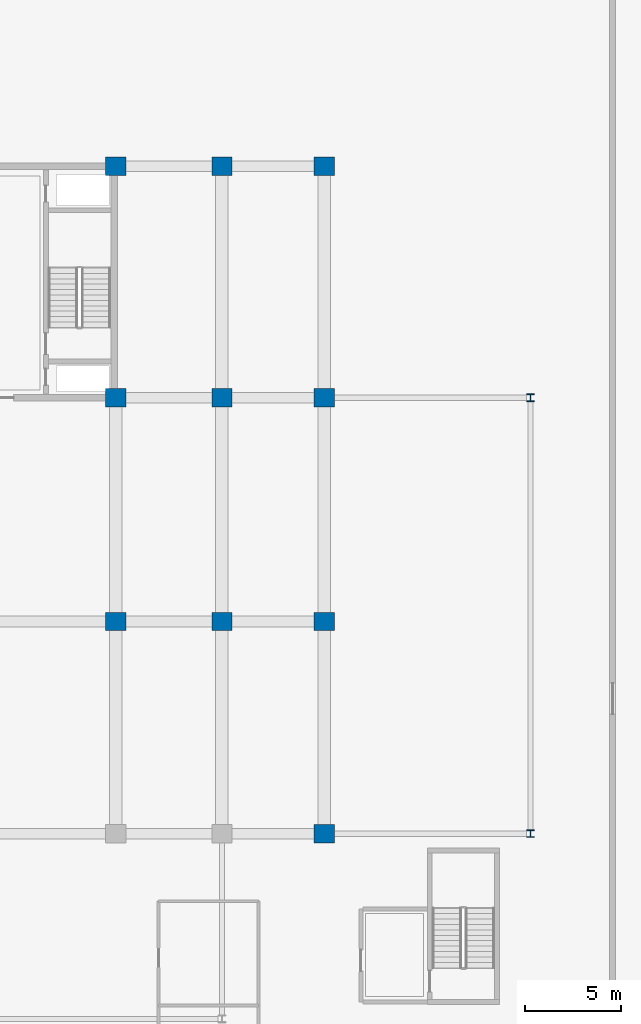
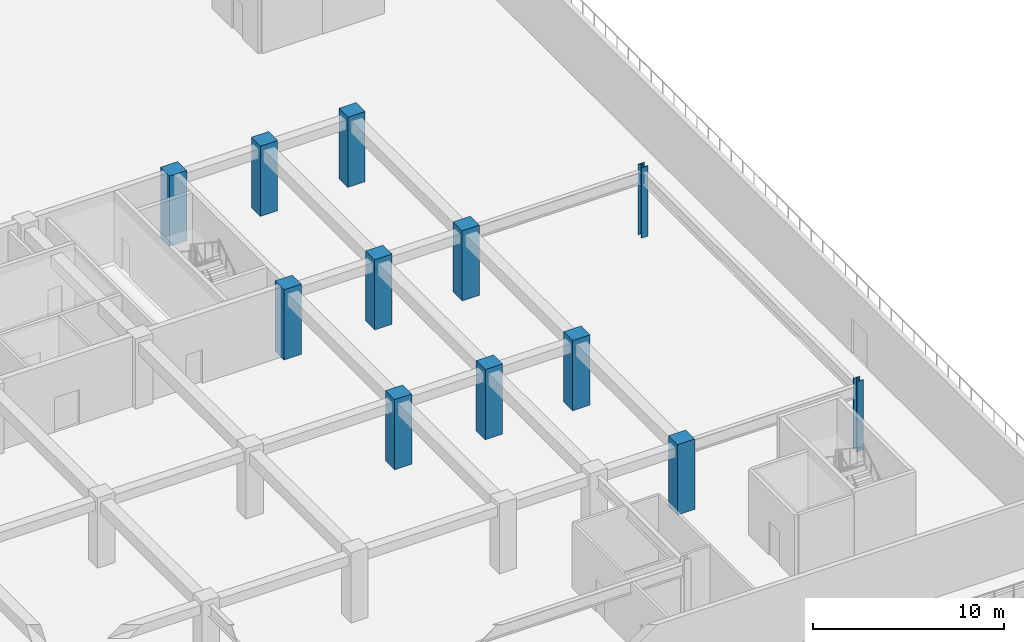
# One storey, part 3 of 40: 12 columns.
"""IFC4 building model written with IfcOpenShell, lengths in metres."""

from ifc_helpers import new_model, si_unit, direction, frame, origin, origin_2d, place, context, subcontext, project, spatial, rectangle, i_section, extrude, material, material_profile, profile_set, type_object, element, save


model = new_model("IFC4")

# Units and contexts
model_context = context("Model", 3, precision=1e-05, world=origin(), true_north=direction((0.0, 1.0)))
body_context = subcontext(model_context, "Body", "Model", "MODEL_VIEW")
ifc_project = project(units=[si_unit("LENGTHUNIT", "METRE"), si_unit("AREAUNIT", "SQUARE_METRE"), si_unit("VOLUMEUNIT", "CUBIC_METRE"), si_unit("PLANEANGLEUNIT", "RADIAN"), si_unit("MASSUNIT", "GRAM", prefix="KILO")], contexts=[model_context])

# Site, building, storey
site_placement = place(None, origin())
site = spatial("IfcSite", under=ifc_project, at=site_placement, CompositionType="ELEMENT")
building_placement = place(site_placement, origin())
building = spatial("IfcBuilding", under=site, at=building_placement, Name="Korimba Cascade Residences", CompositionType="ELEMENT")
storey_placement = place(building_placement, frame((0.0, 0.0, 14.5)))
storey = spatial("IfcBuildingStorey", under=building, at=storey_placement, Name="L03", CompositionType="ELEMENT", Elevation=14.5)

# Columns
ifc_material_1 = material(Name="Concrete C80/95", Category="concrete")
ifc_material_profile_1 = material_profile(ifc_material_1, rectangle(XDim=1.050048828125, YDim=0.949951171875, at=origin_2d()), Name="Concrete C80/95")
ifc_profile_set_1 = profile_set([ifc_material_profile_1], Name="Concrete C80/95")
column_type_1 = type_object("IfcColumnType", Name="COL-RC-1050", PredefinedType="COLUMN", material=ifc_profile_set_1)
for number, where, z_axis, x_axis, name in (
    (1, (118.10009765625, 6.800048828125, 0.0), (0.0, 0.0, 1.0), (1.0, 0.0, 0.0), "L03 Tower 2 Column 6.2"),
    (2, (118.10009765625, 18.39990234375, 0.0), (0.0, 0.0, 1.0), (1.0, 0.0, 0.0), "L03 Tower 2 Column 6.3"),
    (3, (118.10009765625, 30.39990234375, 0.0), (0.0, 0.0, 1.0), (1.0, 0.0, 0.0), "L03 Tower 2 Column 6.4"),
    (4, (123.60009765625, 6.800048828125, 0.0), (0.0, 0.0, 1.0), (1.0, 0.0, 0.0), "L03 Tower 2 Column 7.2"),
    (5, (123.60009765625, 18.39990234375, 0.0), (0.0, 0.0, 1.0), (1.0, 0.0, 0.0), "L03 Tower 2 Column 7.3"),
    (6, (123.60009765625, 30.39990234375, 0.0), (0.0, 0.0, 1.0), (1.0, 0.0, 0.0), "L03 Tower 2 Column 7.4"),
    (7, (128.89990234375, -4.199951171875, 0.0), (0.0, 0.0, 1.0), (1.0, 0.0, 0.0), "L03 Tower 2 Column 8.1"),
    (8, (128.89990234375, 6.800048828125, 0.0), (0.0, 0.0, 1.0), (1.0, 0.0, 0.0), "L03 Tower 2 Column 8.2"),
    (9, (128.89990234375, 18.39990234375, 0.0), (0.0, 0.0, 1.0), (1.0, 0.0, 0.0), "L03 Tower 2 Column 8.3"),
    (10, (128.89990234375, 30.39990234375, 0.0), (0.0, 0.0, 1.0), (1.0, 0.0, 0.0), "L03 Tower 2 Column 8.4"),
):
    element("IfcColumn", number, at=place(storey_placement, frame(where, z_axis=z_axis, x_axis=x_axis)), inside=storey, type_object=column_type_1, Name=name, PredefinedType="COLUMN", context=body_context, shape_type="SweptSolid", body=[
        extrude(rectangle(XDim=1.050048828125, YDim=0.949951171875, at=origin_2d()), origin(), (0.0, 0.0, 1.0), 4.5),
    ])
ifc_material_2 = material(Name="Steel S355", Category="steel")
ifc_material_profile_2 = material_profile(ifc_material_2, i_section(OverallWidth=0.39892578125, OverallDepth=0.3935546875, WebThickness=0.022705078125, FlangeThickness=0.03662109375, FilletRadius=0.01513671875, at=origin_2d()), Name="Steel S355")
ifc_profile_set_2 = profile_set([ifc_material_profile_2], Name="Steel S355")
column_type_2 = type_object("IfcColumnType", Name="COL-STL-UC287", PredefinedType="COLUMN", material=ifc_profile_set_2)
for number, where, z_axis, x_axis, name in (
    (11, (139.60009765625, -4.199951171875, 0.0), (0.0, 0.0, 1.0), (1.0, 0.0, 0.0), "L03 Podium Column PCE1"),
    (12, (139.60009765625, 18.39990234375, 0.0), (0.0, 0.0, 1.0), (1.0, 0.0, 0.0), "L03 Podium Column PCE2"),
):
    element("IfcColumn", number, at=place(storey_placement, frame(where, z_axis=z_axis, x_axis=x_axis)), inside=storey, type_object=column_type_2, Name=name, PredefinedType="COLUMN", context=body_context, shape_type="SweptSolid", body=[
        extrude(i_section(OverallWidth=0.39892578125, OverallDepth=0.3935546875, WebThickness=0.022705078125, FlangeThickness=0.03662109375, FilletRadius=0.01513671875, at=origin_2d()), origin(), (0.0, 0.0, 1.0), 4.5),
    ])

save(model, "model.ifc")
